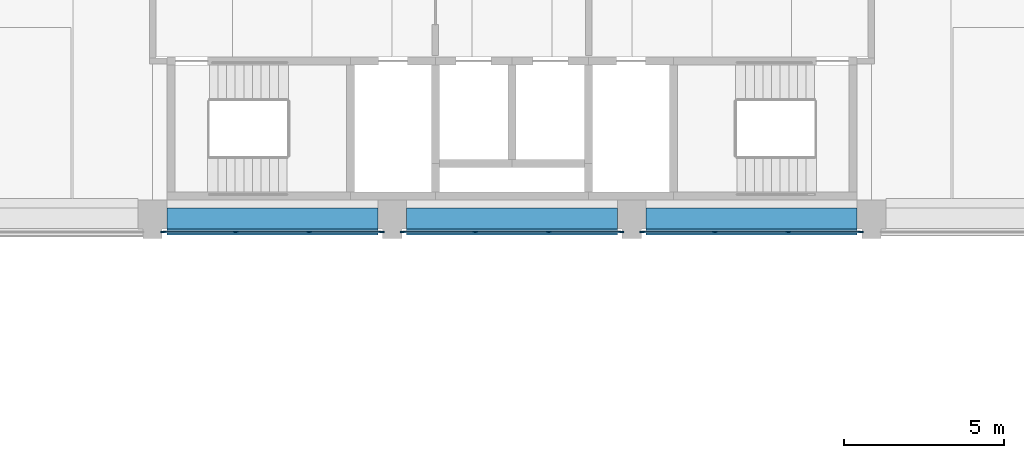
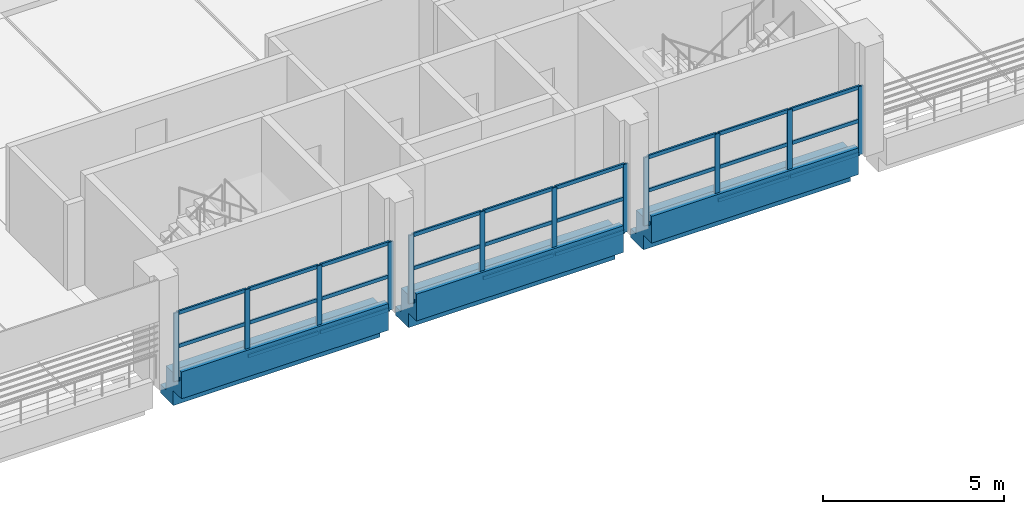
# One storey, part 7 of 57: 39 members, 3 beams, 3 elements without a shape of their own.
"""IFC4 building model written with IfcOpenShell, lengths in metres."""

from ifc_helpers import new_model, si_unit, direction, frame, origin, origin_2d, place, context, subcontext, project, spatial, polyline, rectangle, outline, extrude, material, layer, layer_set, material_profile, profile_set, type_object, element, aggregate, save


model = new_model("IFC4")

# Units and contexts
model_context = context("Model", 3, precision=1e-05, world=origin(), true_north=direction((0.0, 1.0)))
body_context = subcontext(model_context, "Body", "Model", "MODEL_VIEW")
ifc_project = project(units=[si_unit("LENGTHUNIT", "METRE"), si_unit("AREAUNIT", "SQUARE_METRE"), si_unit("VOLUMEUNIT", "CUBIC_METRE"), si_unit("PLANEANGLEUNIT", "RADIAN"), si_unit("MASSUNIT", "GRAM", prefix="KILO")], contexts=[model_context])

# Site, building, storey
site_placement = place(None, origin())
site = spatial("IfcSite", under=ifc_project, at=site_placement, CompositionType="ELEMENT")
building_placement = place(site_placement, origin())
building = spatial("IfcBuilding", under=site, at=building_placement, Name="Cour d'Honneur Mobility Palace", CompositionType="ELEMENT")
storey_placement = place(building_placement, frame((0.0, 0.0, 8.199951171875)))
storey = spatial("IfcBuildingStorey", under=building, at=storey_placement, Name="L02", CompositionType="ELEMENT", Elevation=8.199951171875)

# Curtain wall, members
ifc_material_1 = material(Name="Aluminium and glass", Category="aluminium")
ifc_layer = layer(ifc_material_1, 0.10009765625)
ifc_layer_set = layer_set([ifc_layer], Name="Aluminium and glass")
curtain_wall_type = type_object("IfcCurtainWallType", Name="Curtain wall run", PredefinedType="NOTDEFINED", material=ifc_layer_set)
curtain_wall_1_placement = place(storey_placement, origin())
curtain_wall_1 = element("IfcCurtainWall", 1, at=curtain_wall_1_placement, inside=storey, type_object=curtain_wall_type, Name="Curtain wall CW-75", PredefinedType="NOTDEFINED")
ifc_material_2 = material(Name="Aluminium", Category="aluminium")
ifc_material_profile_1 = material_profile(ifc_material_2, rectangle(XDim=0.06005859375, YDim=0.159912109375, at=origin_2d()), Name="Curtain wall mullion")
ifc_profile_set_1 = profile_set([ifc_material_profile_1], Name="Aluminium")
member_type_1 = type_object("IfcMemberType", Name="Curtain wall mullion", PredefinedType="MULLION", material=ifc_profile_set_1)
member_1_placement = place(storey_placement, frame((70.22998046875, 44.449951171875, 0.0), z_axis=(0.0, 0.0, 1.0), x_axis=(0.0, 1.0, 0.0)))
member_1 = element("IfcMember", 2, at=member_1_placement, type_object=member_type_1, Name="CW-75 mullion 1", PredefinedType="MULLION", context=body_context, shape_type="SweptSolid", body=[
    extrude(rectangle(XDim=0.06005859375, YDim=0.159912109375, at=origin_2d()), origin(), (0.0, 0.0, 1.0), 2.300048828125),
])
member_2_placement = place(storey_placement, frame((72.5, 44.449951171875, 0.0), z_axis=(0.0, 0.0, 1.0), x_axis=(0.0, 1.0, 0.0)))
member_2 = element("IfcMember", 3, at=member_2_placement, type_object=member_type_1, Name="CW-75 mullion 2", PredefinedType="MULLION", context=body_context, shape_type="SweptSolid", body=[
    extrude(rectangle(XDim=0.06005859375, YDim=0.159912109375, at=origin_2d()), origin(), (0.0, 0.0, 1.0), 2.300048828125),
])
member_3_placement = place(storey_placement, frame((74.800048828125, 44.449951171875, 0.0), z_axis=(0.0, 0.0, 1.0), x_axis=(0.0, 1.0, 0.0)))
member_3 = element("IfcMember", 4, at=member_3_placement, type_object=member_type_1, Name="CW-75 mullion 3", PredefinedType="MULLION", context=body_context, shape_type="SweptSolid", body=[
    extrude(rectangle(XDim=0.06005859375, YDim=0.159912109375, at=origin_2d()), origin(), (0.0, 0.0, 1.0), 2.300048828125),
])
member_4_placement = place(storey_placement, frame((77.070068359375, 44.449951171875, 0.0), z_axis=(0.0, 0.0, 1.0), x_axis=(0.0, 1.0, 0.0)))
member_4 = element("IfcMember", 5, at=member_4_placement, type_object=member_type_1, Name="CW-75 mullion 4", PredefinedType="MULLION", context=body_context, shape_type="SweptSolid", body=[
    extrude(rectangle(XDim=0.06005859375, YDim=0.159912109375, at=origin_2d()), origin(), (0.0, 0.0, 1.0), 2.300048828125),
])

curtain_wall_2_placement = place(storey_placement, origin())
curtain_wall_2 = element("IfcCurtainWall", 6, at=curtain_wall_2_placement, inside=storey, type_object=curtain_wall_type, Name="Curtain wall CW-76", PredefinedType="NOTDEFINED")
member_5_placement = place(storey_placement, frame((77.72998046875, 44.449951171875, 0.0), z_axis=(0.0, 0.0, 1.0), x_axis=(0.0, 1.0, 0.0)))
member_5 = element("IfcMember", 7, at=member_5_placement, type_object=member_type_1, Name="CW-76 mullion 1", PredefinedType="MULLION", context=body_context, shape_type="SweptSolid", body=[
    extrude(rectangle(XDim=0.06005859375, YDim=0.159912109375, at=origin_2d()), origin(), (0.0, 0.0, 1.0), 2.300048828125),
])
member_6_placement = place(storey_placement, frame((80.0, 44.449951171875, 0.0), z_axis=(0.0, 0.0, 1.0), x_axis=(0.0, 1.0, 0.0)))
member_6 = element("IfcMember", 8, at=member_6_placement, type_object=member_type_1, Name="CW-76 mullion 2", PredefinedType="MULLION", context=body_context, shape_type="SweptSolid", body=[
    extrude(rectangle(XDim=0.06005859375, YDim=0.159912109375, at=origin_2d()), origin(), (0.0, 0.0, 1.0), 2.300048828125),
])
member_7_placement = place(storey_placement, frame((82.300048828125, 44.449951171875, 0.0), z_axis=(0.0, 0.0, 1.0), x_axis=(0.0, 1.0, 0.0)))
member_7 = element("IfcMember", 9, at=member_7_placement, type_object=member_type_1, Name="CW-76 mullion 3", PredefinedType="MULLION", context=body_context, shape_type="SweptSolid", body=[
    extrude(rectangle(XDim=0.06005859375, YDim=0.159912109375, at=origin_2d()), origin(), (0.0, 0.0, 1.0), 2.300048828125),
])
member_8_placement = place(storey_placement, frame((84.570068359375, 44.449951171875, 0.0), z_axis=(0.0, 0.0, 1.0), x_axis=(0.0, 1.0, 0.0)))
member_8 = element("IfcMember", 10, at=member_8_placement, type_object=member_type_1, Name="CW-76 mullion 4", PredefinedType="MULLION", context=body_context, shape_type="SweptSolid", body=[
    extrude(rectangle(XDim=0.06005859375, YDim=0.159912109375, at=origin_2d()), origin(), (0.0, 0.0, 1.0), 2.300048828125),
])

curtain_wall_3_placement = place(storey_placement, origin())
curtain_wall_3 = element("IfcCurtainWall", 11, at=curtain_wall_3_placement, inside=storey, type_object=curtain_wall_type, Name="Curtain wall CW-77", PredefinedType="NOTDEFINED")
member_9_placement = place(storey_placement, frame((85.22998046875, 44.449951171875, 0.0), z_axis=(0.0, 0.0, 1.0), x_axis=(0.0, 1.0, 0.0)))
member_9 = element("IfcMember", 12, at=member_9_placement, type_object=member_type_1, Name="CW-77 mullion 1", PredefinedType="MULLION", context=body_context, shape_type="SweptSolid", body=[
    extrude(rectangle(XDim=0.06005859375, YDim=0.159912109375, at=origin_2d()), origin(), (0.0, 0.0, 1.0), 2.300048828125),
])
member_10_placement = place(storey_placement, frame((87.5, 44.449951171875, 0.0), z_axis=(0.0, 0.0, 1.0), x_axis=(0.0, 1.0, 0.0)))
member_10 = element("IfcMember", 13, at=member_10_placement, type_object=member_type_1, Name="CW-77 mullion 2", PredefinedType="MULLION", context=body_context, shape_type="SweptSolid", body=[
    extrude(rectangle(XDim=0.06005859375, YDim=0.159912109375, at=origin_2d()), origin(), (0.0, 0.0, 1.0), 2.300048828125),
])
member_11_placement = place(storey_placement, frame((89.800048828125, 44.449951171875, 0.0), z_axis=(0.0, 0.0, 1.0), x_axis=(0.0, 1.0, 0.0)))
member_11 = element("IfcMember", 14, at=member_11_placement, type_object=member_type_1, Name="CW-77 mullion 3", PredefinedType="MULLION", context=body_context, shape_type="SweptSolid", body=[
    extrude(rectangle(XDim=0.06005859375, YDim=0.159912109375, at=origin_2d()), origin(), (0.0, 0.0, 1.0), 2.300048828125),
])
member_12_placement = place(storey_placement, frame((92.070068359375, 44.449951171875, 0.0), z_axis=(0.0, 0.0, 1.0), x_axis=(0.0, 1.0, 0.0)))
member_12 = element("IfcMember", 15, at=member_12_placement, type_object=member_type_1, Name="CW-77 mullion 4", PredefinedType="MULLION", context=body_context, shape_type="SweptSolid", body=[
    extrude(rectangle(XDim=0.06005859375, YDim=0.159912109375, at=origin_2d()), origin(), (0.0, 0.0, 1.0), 2.300048828125),
])

# Member
ifc_material_3 = material(Name="Aluminium", Category="aluminium")
ifc_material_profile_2 = material_profile(ifc_material_3, rectangle(XDim=0.06005859375, YDim=0.1201171875, at=origin_2d()), Name="Curtain wall transom")
ifc_profile_set_2 = profile_set([ifc_material_profile_2], Name="Aluminium")
member_type_2 = type_object("IfcMemberType", Name="Curtain wall transom", PredefinedType="USERDEFINED", material=ifc_profile_set_2)
member_13_placement = place(storey_placement, frame((70.260009765625, 44.449951171875, 0.030029296875), z_axis=(1.0, 0.0, 0.0), x_axis=(0.0, 1.0, 0.0)))
member_13 = element("IfcMember", 16, at=member_13_placement, type_object=member_type_2, Name="CW-75 transom 1.1", ObjectType="TRANSOM", PredefinedType="USERDEFINED", context=body_context, shape_type="SweptSolid", body=[
    extrude(rectangle(XDim=0.06005859375, YDim=0.1201171875, at=origin_2d()), origin(), (0.0, 0.0, 1.0), 2.2099609375),
])

member_14_placement = place(storey_placement, frame((70.260009765625, 44.449951171875, 1.150146484375), z_axis=(1.0, 0.0, 0.0), x_axis=(0.0, 1.0, 0.0)))
member_14 = element("IfcMember", 17, at=member_14_placement, type_object=member_type_2, Name="CW-75 transom 1.2", ObjectType="TRANSOM", PredefinedType="USERDEFINED", context=body_context, shape_type="SweptSolid", body=[
    extrude(rectangle(XDim=0.06005859375, YDim=0.1201171875, at=origin_2d()), origin(), (0.0, 0.0, 1.0), 2.2099609375),
])

member_15_placement = place(storey_placement, frame((70.260009765625, 44.449951171875, 2.27001953125), z_axis=(1.0, 0.0, 0.0), x_axis=(0.0, 1.0, 0.0)))
member_15 = element("IfcMember", 18, at=member_15_placement, type_object=member_type_2, Name="CW-75 transom 1.3", ObjectType="TRANSOM", PredefinedType="USERDEFINED", context=body_context, shape_type="SweptSolid", body=[
    extrude(rectangle(XDim=0.06005859375, YDim=0.1201171875, at=origin_2d()), origin(), (0.0, 0.0, 1.0), 2.2099609375),
])

member_16_placement = place(storey_placement, frame((72.530029296875, 44.449951171875, 0.030029296875), z_axis=(1.0, 0.0, 0.0), x_axis=(0.0, 1.0, 0.0)))
member_16 = element("IfcMember", 19, at=member_16_placement, type_object=member_type_2, Name="CW-75 transom 2.1", ObjectType="TRANSOM", PredefinedType="USERDEFINED", context=body_context, shape_type="SweptSolid", body=[
    extrude(rectangle(XDim=0.06005859375, YDim=0.1201171875, at=origin_2d()), origin(), (0.0, 0.0, 1.0), 2.239990234375),
])

member_17_placement = place(storey_placement, frame((72.530029296875, 44.449951171875, 1.150146484375), z_axis=(1.0, 0.0, 0.0), x_axis=(0.0, 1.0, 0.0)))
member_17 = element("IfcMember", 20, at=member_17_placement, type_object=member_type_2, Name="CW-75 transom 2.2", ObjectType="TRANSOM", PredefinedType="USERDEFINED", context=body_context, shape_type="SweptSolid", body=[
    extrude(rectangle(XDim=0.06005859375, YDim=0.1201171875, at=origin_2d()), origin(), (0.0, 0.0, 1.0), 2.239990234375),
])

member_18_placement = place(storey_placement, frame((72.530029296875, 44.449951171875, 2.27001953125), z_axis=(1.0, 0.0, 0.0), x_axis=(0.0, 1.0, 0.0)))
member_18 = element("IfcMember", 21, at=member_18_placement, type_object=member_type_2, Name="CW-75 transom 2.3", ObjectType="TRANSOM", PredefinedType="USERDEFINED", context=body_context, shape_type="SweptSolid", body=[
    extrude(rectangle(XDim=0.06005859375, YDim=0.1201171875, at=origin_2d()), origin(), (0.0, 0.0, 1.0), 2.239990234375),
])

member_19_placement = place(storey_placement, frame((74.830078125, 44.449951171875, 0.030029296875), z_axis=(1.0, 0.0, 0.0), x_axis=(0.0, 1.0, 0.0)))
member_19 = element("IfcMember", 22, at=member_19_placement, type_object=member_type_2, Name="CW-75 transom 3.1", ObjectType="TRANSOM", PredefinedType="USERDEFINED", context=body_context, shape_type="SweptSolid", body=[
    extrude(rectangle(XDim=0.06005859375, YDim=0.1201171875, at=origin_2d()), origin(), (0.0, 0.0, 1.0), 2.2099609375),
])

member_20_placement = place(storey_placement, frame((74.830078125, 44.449951171875, 1.150146484375), z_axis=(1.0, 0.0, 0.0), x_axis=(0.0, 1.0, 0.0)))
member_20 = element("IfcMember", 23, at=member_20_placement, type_object=member_type_2, Name="CW-75 transom 3.2", ObjectType="TRANSOM", PredefinedType="USERDEFINED", context=body_context, shape_type="SweptSolid", body=[
    extrude(rectangle(XDim=0.06005859375, YDim=0.1201171875, at=origin_2d()), origin(), (0.0, 0.0, 1.0), 2.2099609375),
])

member_21_placement = place(storey_placement, frame((74.830078125, 44.449951171875, 2.27001953125), z_axis=(1.0, 0.0, 0.0), x_axis=(0.0, 1.0, 0.0)))
member_21 = element("IfcMember", 24, at=member_21_placement, type_object=member_type_2, Name="CW-75 transom 3.3", ObjectType="TRANSOM", PredefinedType="USERDEFINED", context=body_context, shape_type="SweptSolid", body=[
    extrude(rectangle(XDim=0.06005859375, YDim=0.1201171875, at=origin_2d()), origin(), (0.0, 0.0, 1.0), 2.2099609375),
])

aggregate(curtain_wall_1, [member_1, member_2, member_3, member_4, member_13, member_14, member_15, member_16, member_17, member_18, member_19, member_20, member_21])

member_22_placement = place(storey_placement, frame((77.760009765625, 44.449951171875, 0.030029296875), z_axis=(1.0, 0.0, 0.0), x_axis=(0.0, 1.0, 0.0)))
member_22 = element("IfcMember", 25, at=member_22_placement, type_object=member_type_2, Name="CW-76 transom 1.1", ObjectType="TRANSOM", PredefinedType="USERDEFINED", context=body_context, shape_type="SweptSolid", body=[
    extrude(rectangle(XDim=0.06005859375, YDim=0.1201171875, at=origin_2d()), origin(), (0.0, 0.0, 1.0), 2.2099609375),
])

member_23_placement = place(storey_placement, frame((77.760009765625, 44.449951171875, 1.150146484375), z_axis=(1.0, 0.0, 0.0), x_axis=(0.0, 1.0, 0.0)))
member_23 = element("IfcMember", 26, at=member_23_placement, type_object=member_type_2, Name="CW-76 transom 1.2", ObjectType="TRANSOM", PredefinedType="USERDEFINED", context=body_context, shape_type="SweptSolid", body=[
    extrude(rectangle(XDim=0.06005859375, YDim=0.1201171875, at=origin_2d()), origin(), (0.0, 0.0, 1.0), 2.2099609375),
])

member_24_placement = place(storey_placement, frame((77.760009765625, 44.449951171875, 2.27001953125), z_axis=(1.0, 0.0, 0.0), x_axis=(0.0, 1.0, 0.0)))
member_24 = element("IfcMember", 27, at=member_24_placement, type_object=member_type_2, Name="CW-76 transom 1.3", ObjectType="TRANSOM", PredefinedType="USERDEFINED", context=body_context, shape_type="SweptSolid", body=[
    extrude(rectangle(XDim=0.06005859375, YDim=0.1201171875, at=origin_2d()), origin(), (0.0, 0.0, 1.0), 2.2099609375),
])

member_25_placement = place(storey_placement, frame((80.030029296875, 44.449951171875, 0.030029296875), z_axis=(1.0, 0.0, 0.0), x_axis=(0.0, 1.0, 0.0)))
member_25 = element("IfcMember", 28, at=member_25_placement, type_object=member_type_2, Name="CW-76 transom 2.1", ObjectType="TRANSOM", PredefinedType="USERDEFINED", context=body_context, shape_type="SweptSolid", body=[
    extrude(rectangle(XDim=0.06005859375, YDim=0.1201171875, at=origin_2d()), origin(), (0.0, 0.0, 1.0), 2.239990234375),
])

member_26_placement = place(storey_placement, frame((80.030029296875, 44.449951171875, 1.150146484375), z_axis=(1.0, 0.0, 0.0), x_axis=(0.0, 1.0, 0.0)))
member_26 = element("IfcMember", 29, at=member_26_placement, type_object=member_type_2, Name="CW-76 transom 2.2", ObjectType="TRANSOM", PredefinedType="USERDEFINED", context=body_context, shape_type="SweptSolid", body=[
    extrude(rectangle(XDim=0.06005859375, YDim=0.1201171875, at=origin_2d()), origin(), (0.0, 0.0, 1.0), 2.239990234375),
])

member_27_placement = place(storey_placement, frame((80.030029296875, 44.449951171875, 2.27001953125), z_axis=(1.0, 0.0, 0.0), x_axis=(0.0, 1.0, 0.0)))
member_27 = element("IfcMember", 30, at=member_27_placement, type_object=member_type_2, Name="CW-76 transom 2.3", ObjectType="TRANSOM", PredefinedType="USERDEFINED", context=body_context, shape_type="SweptSolid", body=[
    extrude(rectangle(XDim=0.06005859375, YDim=0.1201171875, at=origin_2d()), origin(), (0.0, 0.0, 1.0), 2.239990234375),
])

member_28_placement = place(storey_placement, frame((82.330078125, 44.449951171875, 0.030029296875), z_axis=(1.0, 0.0, 0.0), x_axis=(0.0, 1.0, 0.0)))
member_28 = element("IfcMember", 31, at=member_28_placement, type_object=member_type_2, Name="CW-76 transom 3.1", ObjectType="TRANSOM", PredefinedType="USERDEFINED", context=body_context, shape_type="SweptSolid", body=[
    extrude(rectangle(XDim=0.06005859375, YDim=0.1201171875, at=origin_2d()), origin(), (0.0, 0.0, 1.0), 2.2099609375),
])

member_29_placement = place(storey_placement, frame((82.330078125, 44.449951171875, 1.150146484375), z_axis=(1.0, 0.0, 0.0), x_axis=(0.0, 1.0, 0.0)))
member_29 = element("IfcMember", 32, at=member_29_placement, type_object=member_type_2, Name="CW-76 transom 3.2", ObjectType="TRANSOM", PredefinedType="USERDEFINED", context=body_context, shape_type="SweptSolid", body=[
    extrude(rectangle(XDim=0.06005859375, YDim=0.1201171875, at=origin_2d()), origin(), (0.0, 0.0, 1.0), 2.2099609375),
])

member_30_placement = place(storey_placement, frame((82.330078125, 44.449951171875, 2.27001953125), z_axis=(1.0, 0.0, 0.0), x_axis=(0.0, 1.0, 0.0)))
member_30 = element("IfcMember", 33, at=member_30_placement, type_object=member_type_2, Name="CW-76 transom 3.3", ObjectType="TRANSOM", PredefinedType="USERDEFINED", context=body_context, shape_type="SweptSolid", body=[
    extrude(rectangle(XDim=0.06005859375, YDim=0.1201171875, at=origin_2d()), origin(), (0.0, 0.0, 1.0), 2.2099609375),
])

aggregate(curtain_wall_2, [member_5, member_6, member_7, member_8, member_22, member_23, member_24, member_25, member_26, member_27, member_28, member_29, member_30])

member_31_placement = place(storey_placement, frame((85.260009765625, 44.449951171875, 0.030029296875), z_axis=(1.0, 0.0, 0.0), x_axis=(0.0, 1.0, 0.0)))
member_31 = element("IfcMember", 34, at=member_31_placement, type_object=member_type_2, Name="CW-77 transom 1.1", ObjectType="TRANSOM", PredefinedType="USERDEFINED", context=body_context, shape_type="SweptSolid", body=[
    extrude(rectangle(XDim=0.06005859375, YDim=0.1201171875, at=origin_2d()), origin(), (0.0, 0.0, 1.0), 2.2099609375),
])

member_32_placement = place(storey_placement, frame((85.260009765625, 44.449951171875, 1.150146484375), z_axis=(1.0, 0.0, 0.0), x_axis=(0.0, 1.0, 0.0)))
member_32 = element("IfcMember", 35, at=member_32_placement, type_object=member_type_2, Name="CW-77 transom 1.2", ObjectType="TRANSOM", PredefinedType="USERDEFINED", context=body_context, shape_type="SweptSolid", body=[
    extrude(rectangle(XDim=0.06005859375, YDim=0.1201171875, at=origin_2d()), origin(), (0.0, 0.0, 1.0), 2.2099609375),
])

member_33_placement = place(storey_placement, frame((85.260009765625, 44.449951171875, 2.27001953125), z_axis=(1.0, 0.0, 0.0), x_axis=(0.0, 1.0, 0.0)))
member_33 = element("IfcMember", 36, at=member_33_placement, type_object=member_type_2, Name="CW-77 transom 1.3", ObjectType="TRANSOM", PredefinedType="USERDEFINED", context=body_context, shape_type="SweptSolid", body=[
    extrude(rectangle(XDim=0.06005859375, YDim=0.1201171875, at=origin_2d()), origin(), (0.0, 0.0, 1.0), 2.2099609375),
])

member_34_placement = place(storey_placement, frame((87.530029296875, 44.449951171875, 0.030029296875), z_axis=(1.0, 0.0, 0.0), x_axis=(0.0, 1.0, 0.0)))
member_34 = element("IfcMember", 37, at=member_34_placement, type_object=member_type_2, Name="CW-77 transom 2.1", ObjectType="TRANSOM", PredefinedType="USERDEFINED", context=body_context, shape_type="SweptSolid", body=[
    extrude(rectangle(XDim=0.06005859375, YDim=0.1201171875, at=origin_2d()), origin(), (0.0, 0.0, 1.0), 2.239990234375),
])

member_35_placement = place(storey_placement, frame((87.530029296875, 44.449951171875, 1.150146484375), z_axis=(1.0, 0.0, 0.0), x_axis=(0.0, 1.0, 0.0)))
member_35 = element("IfcMember", 38, at=member_35_placement, type_object=member_type_2, Name="CW-77 transom 2.2", ObjectType="TRANSOM", PredefinedType="USERDEFINED", context=body_context, shape_type="SweptSolid", body=[
    extrude(rectangle(XDim=0.06005859375, YDim=0.1201171875, at=origin_2d()), origin(), (0.0, 0.0, 1.0), 2.239990234375),
])

member_36_placement = place(storey_placement, frame((87.530029296875, 44.449951171875, 2.27001953125), z_axis=(1.0, 0.0, 0.0), x_axis=(0.0, 1.0, 0.0)))
member_36 = element("IfcMember", 39, at=member_36_placement, type_object=member_type_2, Name="CW-77 transom 2.3", ObjectType="TRANSOM", PredefinedType="USERDEFINED", context=body_context, shape_type="SweptSolid", body=[
    extrude(rectangle(XDim=0.06005859375, YDim=0.1201171875, at=origin_2d()), origin(), (0.0, 0.0, 1.0), 2.239990234375),
])

member_37_placement = place(storey_placement, frame((89.830078125, 44.449951171875, 0.030029296875), z_axis=(1.0, 0.0, 0.0), x_axis=(0.0, 1.0, 0.0)))
member_37 = element("IfcMember", 40, at=member_37_placement, type_object=member_type_2, Name="CW-77 transom 3.1", ObjectType="TRANSOM", PredefinedType="USERDEFINED", context=body_context, shape_type="SweptSolid", body=[
    extrude(rectangle(XDim=0.06005859375, YDim=0.1201171875, at=origin_2d()), origin(), (0.0, 0.0, 1.0), 2.2099609375),
])

member_38_placement = place(storey_placement, frame((89.830078125, 44.449951171875, 1.150146484375), z_axis=(1.0, 0.0, 0.0), x_axis=(0.0, 1.0, 0.0)))
member_38 = element("IfcMember", 41, at=member_38_placement, type_object=member_type_2, Name="CW-77 transom 3.2", ObjectType="TRANSOM", PredefinedType="USERDEFINED", context=body_context, shape_type="SweptSolid", body=[
    extrude(rectangle(XDim=0.06005859375, YDim=0.1201171875, at=origin_2d()), origin(), (0.0, 0.0, 1.0), 2.2099609375),
])

member_39_placement = place(storey_placement, frame((89.830078125, 44.449951171875, 2.27001953125), z_axis=(1.0, 0.0, 0.0), x_axis=(0.0, 1.0, 0.0)))
member_39 = element("IfcMember", 42, at=member_39_placement, type_object=member_type_2, Name="CW-77 transom 3.3", ObjectType="TRANSOM", PredefinedType="USERDEFINED", context=body_context, shape_type="SweptSolid", body=[
    extrude(rectangle(XDim=0.06005859375, YDim=0.1201171875, at=origin_2d()), origin(), (0.0, 0.0, 1.0), 2.2099609375),
])

aggregate(curtain_wall_3, [member_9, member_10, member_11, member_12, member_31, member_32, member_33, member_34, member_35, member_36, member_37, member_38, member_39])

# Beams
ifc_material_4 = material(Name="Concrete C45", Category="concrete")
ifc_material_profile_3 = material_profile(ifc_material_4, outline(polyline([(0.5, -1.10009765625), (0.5, -0.800048828125), (0.199951171875, -0.800048828125), (0.199951171875, 0.0), (-0.199951171875, 0.0), (-0.449951171875, 0.0), (-0.449951171875, 0.300048828125), (-0.64990234375, 0.300048828125), (-0.64990234375, -0.60009765625), (-0.199951171875, -0.60009765625), (-0.199951171875, -1.10009765625), (0.5, -1.10009765625)])), Name="Ledger Beam 400x1100 ledge left 300 facade right")
ifc_profile_set_3 = profile_set([ifc_material_profile_3], Name="Concrete C45")
beam_type = type_object("IfcBeamType", Name="Ledger Beam 400x1100 ledge left 300 facade right", PredefinedType="BEAM", material=ifc_profile_set_3)
for number, where, z_axis, x_axis, name in (
    (43, (70.35009765625, 45.0, 0.0), (1.0, 0.0, 0.0), (0.0, 1.0, 0.0), "Precast beam B3 9-10 L02"),
    (44, (77.85009765625, 45.0, 0.0), (1.0, 0.0, 0.0), (0.0, 1.0, 0.0), "Precast beam B3 10-11 L02"),
    (45, (85.35009765625, 45.0, 0.0), (1.0, 0.0, 0.0), (0.0, 1.0, 0.0), "Precast beam B3 11-12 L02"),
):
    element("IfcBeam", number, at=place(storey_placement, frame(where, z_axis=z_axis, x_axis=x_axis)), inside=storey, type_object=beam_type, Name=name, PredefinedType="BEAM", context=body_context, shape_type="SweptSolid", body=[
        extrude(outline(polyline([(0.5, -1.10009765625), (0.5, -0.800048828125), (0.199951171875, -0.800048828125), (0.199951171875, 0.0), (-0.199951171875, 0.0), (-0.449951171875, 0.0), (-0.449951171875, 0.300048828125), (-0.64990234375, 0.300048828125), (-0.64990234375, -0.60009765625), (-0.199951171875, -0.60009765625), (-0.199951171875, -1.10009765625), (0.5, -1.10009765625)])), origin(), (0.0, 0.0, 1.0), 6.599853515625),
    ])

save(model, "model.ifc")
